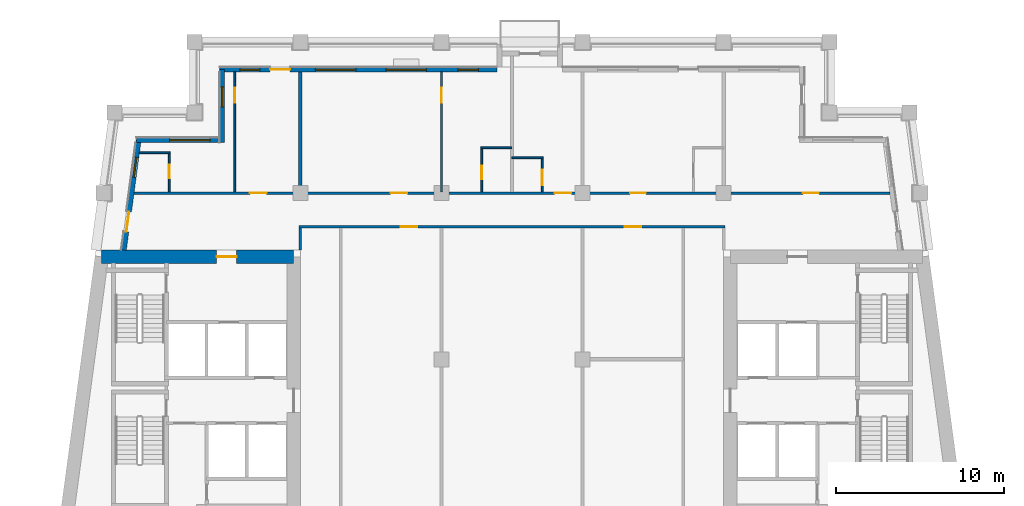
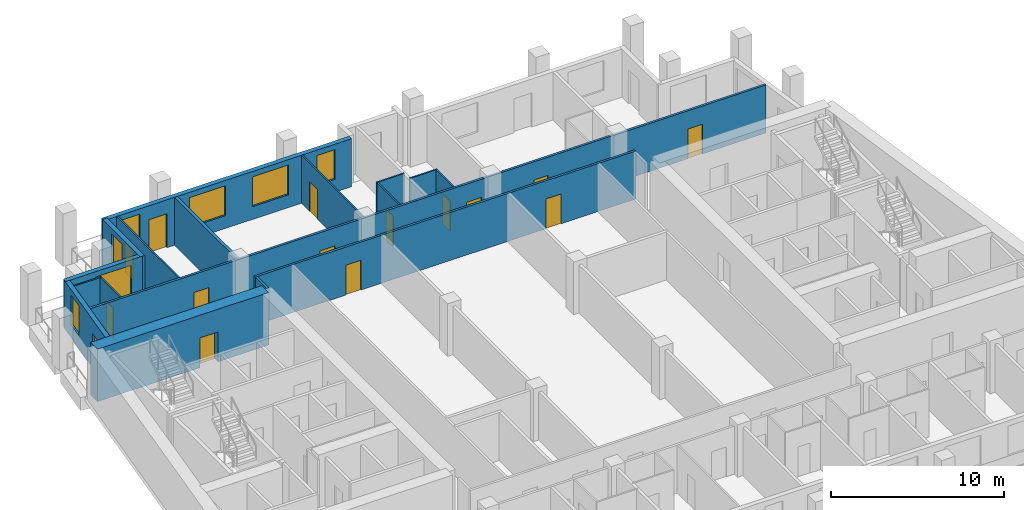
# One storey, part 6 of 12: 17 walls, 15 doors, 7 windows, 22 openings.
"""IFC4 building model written with IfcOpenShell, lengths in metres."""

from ifc_helpers import new_model, si_unit, direction, frame, frame_2d, origin, place, context, subcontext, project, spatial, rectangle, extrude, material, layer, layer_set, type_object, element, fill, save


model = new_model("IFC4")

# Units and contexts
model_context = context("Model", 3, precision=1e-05, world=origin(), true_north=direction((0.0, 1.0)))
body_context = subcontext(model_context, "Body", "Model", "MODEL_VIEW")
ifc_project = project(units=[si_unit("LENGTHUNIT", "METRE"), si_unit("AREAUNIT", "SQUARE_METRE"), si_unit("VOLUMEUNIT", "CUBIC_METRE"), si_unit("PLANEANGLEUNIT", "RADIAN"), si_unit("MASSUNIT", "GRAM", prefix="KILO")], contexts=[model_context])

# Site, building, storey
site_placement = place(None, origin())
site = spatial("IfcSite", under=ifc_project, at=site_placement, CompositionType="ELEMENT")
building_placement = place(site_placement, origin())
building = spatial("IfcBuilding", under=site, at=building_placement, Name="Candeia Pilgrim Tower and Theatre", CompositionType="ELEMENT")
storey_placement = place(building_placement, frame((0.0, 0.0, 228.10009765625)))
storey = spatial("IfcBuildingStorey", under=building, at=storey_placement, Name="L55", CompositionType="ELEMENT", Elevation=228.10009765625)

# Wall, opening, door
ifc_material_1 = material(Name="Concrete C50/60", Category="concrete")
ifc_layer_1 = layer(ifc_material_1, 0.800048828125)
ifc_layer_set_1 = layer_set([ifc_layer_1], Name="Core wall 800 C50/60")
wall_type_1 = type_object("IfcWallType", Name="Core wall 800 C50/60", PredefinedType="SHEAR", material=ifc_layer_set_1)
wall_1_placement = place(storey_placement, frame((88.98046875, 132.0, 0.0), z_axis=(0.0, 0.0, 1.0), x_axis=(1.0, 0.0, 0.0)))
wall_1 = element("IfcWall", 1, at=wall_1_placement, inside=storey, type_object=wall_type_1, Name="Core wall W1", PredefinedType="SHEAR", context=body_context, shape_type="SweptSolid", body=[
    extrude(rectangle(XDim=11.41943359375, YDim=0.800048828125, at=frame_2d((5.709716796875, 0.0))), origin(), (0.0, 0.0, 1.0), 3.699951171875),
])
opening_1_placement = place(wall_1_placement, frame((6.8330078125, 0.0, 0.0)))
opening_1 = element("IfcOpeningElement", 2, at=opening_1_placement, cuts=wall_1, Name="Opening L55-D055", PredefinedType="OPENING", context=body_context, shape_type="SweptSolid", body=[
    extrude(rectangle(XDim=1.199951171875, YDim=2.10009765625, at=frame_2d((0.60009765625, 1.050048828125))), frame((0.0, 0.41015625, 0.0), z_axis=(0.0, -1.0, 0.0), x_axis=(1.0, 0.0, 0.0)), (0.0, 0.0, 1.0), 0.820068359375),
])
ifc_material_2 = material(Name="Steel fire door set", Category="steel")
door_type_1 = type_object("IfcDoorType", Name="D-1200-FD60", OperationType="NOTDEFINED", PredefinedType="DOOR", material=ifc_material_2)
door_1_placement = place(opening_1_placement, origin())
door_1 = element("IfcDoor", 3, at=door_1_placement, inside=storey, type_object=door_type_1, Name="Door L55-D055", OperationType="SINGLE_SWING_RIGHT", OverallHeight=2.10009765625, OverallWidth=1.199951171875, PredefinedType="DOOR", context=body_context, shape_type="SweptSolid", body=[
    extrude(rectangle(XDim=1.199951171875, YDim=2.10009765625, at=frame_2d((0.60009765625, 1.050048828125))), frame((0.0, 0.02490234375, 0.0), z_axis=(0.0, -1.0, 0.0), x_axis=(1.0, 0.0, 0.0)), (0.0, 0.0, 1.0), 0.050048828125),
])
fill(opening_1, door_1)

# Wall, openings, door, windows
ifc_material_3 = material(Name="Ceramic block masonry", Category="masonry")
ifc_layer_2 = layer(ifc_material_3, 0.300048828125)
ifc_layer_set_2 = layer_set([ifc_layer_2], Name="EW1 glazing-line wall 300")
wall_type_2 = type_object("IfcWallType", Name="EW1 glazing-line wall 300", PredefinedType="SOLIDWALL", material=ifc_layer_set_2)
wall_2_placement = place(storey_placement, frame((112.5, 143.14990234375, 0.0), z_axis=(0.0, 0.0, 1.0), x_axis=(-1.0, 0.0, 0.0)))
wall_2 = element("IfcWall", 4, at=wall_2_placement, inside=storey, type_object=wall_type_2, Name="External wall L55-6.1", PredefinedType="SOLIDWALL", context=body_context, shape_type="SweptSolid", body=[
    extrude(rectangle(XDim=16.5, YDim=0.300048828125, at=frame_2d((8.25, 0.0))), origin(), (0.0, 0.0, 1.0), 3.3798828125),
])
opening_2_placement = place(wall_2_placement, frame((1.10009765625, 0.0, 0.89990234375)))
opening_2 = element("IfcOpeningElement", 5, at=opening_2_placement, cuts=wall_2, Name="Opening W-B", PredefinedType="OPENING", context=body_context, shape_type="SweptSolid", body=[
    extrude(rectangle(XDim=1.199951171875, YDim=2.10009765625, at=frame_2d((0.60009765625, 1.050048828125))), frame((0.0, 0.16015625, 0.0), z_axis=(0.0, -1.0, 0.0), x_axis=(1.0, 0.0, 0.0)), (0.0, 0.0, 1.0), 0.320068359375),
])
opening_3_placement = place(wall_2_placement, frame((4.199951171875, 0.0, 0.89990234375)))
opening_3 = element("IfcOpeningElement", 6, at=opening_3_placement, cuts=wall_2, Name="Opening W-A", PredefinedType="OPENING", context=body_context, shape_type="SweptSolid", body=[
    extrude(rectangle(XDim=2.39990234375, YDim=2.10009765625, at=frame_2d((1.199951171875, 1.050048828125))), frame((0.0, 0.16015625, 0.0), z_axis=(0.0, -1.0, 0.0), x_axis=(1.0, 0.0, 0.0)), (0.0, 0.0, 1.0), 0.320068359375),
])
opening_4_placement = place(wall_2_placement, frame((8.39990234375, 0.0, 0.89990234375)))
opening_4 = element("IfcOpeningElement", 7, at=opening_4_placement, cuts=wall_2, Name="Opening W-A", PredefinedType="OPENING", context=body_context, shape_type="SweptSolid", body=[
    extrude(rectangle(XDim=2.39990234375, YDim=2.10009765625, at=frame_2d((1.199951171875, 1.050048828125))), frame((0.0, 0.16015625, 0.0), z_axis=(0.0, -1.0, 0.0), x_axis=(1.0, 0.0, 0.0)), (0.0, 0.0, 1.0), 0.320068359375),
])
opening_5_placement = place(wall_2_placement, frame((12.300048828125, 0.0, 0.0)))
opening_5 = element("IfcOpeningElement", 8, at=opening_5_placement, cuts=wall_2, Name="Opening L55-ED530", PredefinedType="OPENING", context=body_context, shape_type="SweptSolid", body=[
    extrude(rectangle(XDim=1.199951171875, YDim=2.39990234375, at=frame_2d((0.60009765625, 1.199951171875))), frame((0.0, 0.16015625, 0.0), z_axis=(0.0, -1.0, 0.0), x_axis=(1.0, 0.0, 0.0)), (0.0, 0.0, 1.0), 0.320068359375),
])
opening_6_placement = place(wall_2_placement, frame((14.10009765625, 0.0, 0.89990234375)))
opening_6 = element("IfcOpeningElement", 9, at=opening_6_placement, cuts=wall_2, Name="Opening W-B", PredefinedType="OPENING", context=body_context, shape_type="SweptSolid", body=[
    extrude(rectangle(XDim=1.199951171875, YDim=2.10009765625, at=frame_2d((0.60009765625, 1.050048828125))), frame((0.0, 0.16015625, 0.0), z_axis=(0.0, -1.0, 0.0), x_axis=(1.0, 0.0, 0.0)), (0.0, 0.0, 1.0), 0.320068359375),
])
ifc_material_4 = material(Name="Aluminium framed glazed door", Category="aluminium")
door_type_2 = type_object("IfcDoorType", Name="Loggia door 1200x2400", OperationType="DOUBLE_DOOR_SINGLE_SWING", PredefinedType="DOOR", material=ifc_material_4)
door_2_placement = place(opening_5_placement, origin())
door_2 = element("IfcDoor", 10, at=door_2_placement, inside=storey, type_object=door_type_2, Name="Loggia door L55-ED530", OperationType="DOUBLE_DOOR_SINGLE_SWING", OverallHeight=2.39990234375, OverallWidth=1.199951171875, PredefinedType="DOOR", context=body_context, shape_type="SweptSolid", body=[
    extrude(rectangle(XDim=1.199951171875, YDim=2.39990234375, at=frame_2d((0.60009765625, 1.199951171875))), frame((0.0, 0.02490234375, 0.0), z_axis=(0.0, -1.0, 0.0), x_axis=(1.0, 0.0, 0.0)), (0.0, 0.0, 1.0), 0.050048828125),
])
fill(opening_5, door_2)
ifc_material_5 = material(Name="Aluminium framed double glazing", Category="aluminium")
window_type_1 = type_object("IfcWindowType", Name="W-A window 2400x2100", PartitioningType="DOUBLE_PANEL_VERTICAL", PredefinedType="WINDOW", material=ifc_material_5)
window_1_placement = place(opening_3_placement, origin())
window_1 = element("IfcWindow", 11, at=window_1_placement, inside=storey, type_object=window_type_1, Name="Window W-A L55", OverallHeight=2.10009765625, OverallWidth=2.39990234375, PartitioningType="SINGLE_PANEL", PredefinedType="WINDOW", context=body_context, shape_type="SweptSolid", body=[
    extrude(rectangle(XDim=2.39990234375, YDim=2.10009765625, at=frame_2d((1.199951171875, 1.050048828125))), frame((0.0, 0.030029296875, 0.0), z_axis=(0.0, -1.0, 0.0), x_axis=(1.0, 0.0, 0.0)), (0.0, 0.0, 1.0), 0.06005859375),
])
fill(opening_3, window_1)
window_2_placement = place(opening_4_placement, origin())
window_2 = element("IfcWindow", 12, at=window_2_placement, inside=storey, type_object=window_type_1, Name="Window W-A L55", OverallHeight=2.10009765625, OverallWidth=2.39990234375, PartitioningType="SINGLE_PANEL", PredefinedType="WINDOW", context=body_context, shape_type="SweptSolid", body=[
    extrude(rectangle(XDim=2.39990234375, YDim=2.10009765625, at=frame_2d((1.199951171875, 1.050048828125))), frame((0.0, 0.030029296875, 0.0), z_axis=(0.0, -1.0, 0.0), x_axis=(1.0, 0.0, 0.0)), (0.0, 0.0, 1.0), 0.06005859375),
])
fill(opening_4, window_2)
window_type_2 = type_object("IfcWindowType", Name="W-B window 1200x2100", PartitioningType="SINGLE_PANEL", PredefinedType="WINDOW", material=ifc_material_5)
window_3_placement = place(opening_2_placement, origin())
window_3 = element("IfcWindow", 13, at=window_3_placement, inside=storey, type_object=window_type_2, Name="Window W-B L55", OverallHeight=2.10009765625, OverallWidth=1.199951171875, PartitioningType="SINGLE_PANEL", PredefinedType="WINDOW", context=body_context, shape_type="SweptSolid", body=[
    extrude(rectangle(XDim=1.199951171875, YDim=2.10009765625, at=frame_2d((0.60009765625, 1.050048828125))), frame((0.0, 0.030029296875, 0.0), z_axis=(0.0, -1.0, 0.0), x_axis=(1.0, 0.0, 0.0)), (0.0, 0.0, 1.0), 0.06005859375),
])
fill(opening_2, window_3)
window_4_placement = place(opening_6_placement, origin())
window_4 = element("IfcWindow", 14, at=window_4_placement, inside=storey, type_object=window_type_2, Name="Window W-B L55", OverallHeight=2.10009765625, OverallWidth=1.199951171875, PartitioningType="SINGLE_PANEL", PredefinedType="WINDOW", context=body_context, shape_type="SweptSolid", body=[
    extrude(rectangle(XDim=1.199951171875, YDim=2.10009765625, at=frame_2d((0.60009765625, 1.050048828125))), frame((0.0, 0.030029296875, 0.0), z_axis=(0.0, -1.0, 0.0), x_axis=(1.0, 0.0, 0.0)), (0.0, 0.0, 1.0), 0.06005859375),
])
fill(opening_6, window_4)

# Wall, opening, window
wall_3_placement = place(storey_placement, frame((96.14990234375, 143.14990234375, 0.0), z_axis=(0.0, 0.0, 1.0), x_axis=(0.0, -1.0, 0.0)))
wall_3 = element("IfcWall", 15, at=wall_3_placement, inside=storey, type_object=wall_type_2, Name="External wall L55-7.0", PredefinedType="SOLIDWALL", context=body_context, shape_type="SweptSolid", body=[
    extrude(rectangle(XDim=4.349853515625, YDim=0.300048828125, at=frame_2d((2.1748046875, 0.0))), origin(), (0.0, 0.0, 1.0), 3.3798828125),
])
opening_7_placement = place(wall_3_placement, frame((1.02490234375, 0.0, 0.89990234375)))
opening_7 = element("IfcOpeningElement", 16, at=opening_7_placement, cuts=wall_3, Name="Opening W-B", PredefinedType="OPENING", context=body_context, shape_type="SweptSolid", body=[
    extrude(rectangle(XDim=1.199951171875, YDim=2.10009765625, at=frame_2d((0.60009765625, 1.050048828125))), frame((0.0, 0.16015625, 0.0), z_axis=(0.0, -1.0, 0.0), x_axis=(1.0, 0.0, 0.0)), (0.0, 0.0, 1.0), 0.320068359375),
])
window_5_placement = place(opening_7_placement, origin())
window_5 = element("IfcWindow", 17, at=window_5_placement, inside=storey, type_object=window_type_2, Name="Window W-B L55", OverallHeight=2.10009765625, OverallWidth=1.199951171875, PartitioningType="SINGLE_PANEL", PredefinedType="WINDOW", context=body_context, shape_type="SweptSolid", body=[
    extrude(rectangle(XDim=1.199951171875, YDim=2.10009765625, at=frame_2d((0.60009765625, 1.050048828125))), frame((0.0, 0.030029296875, 0.0), z_axis=(0.0, -1.0, 0.0), x_axis=(1.0, 0.0, 0.0)), (0.0, 0.0, 1.0), 0.06005859375),
])
fill(opening_7, window_5)

wall_4_placement = place(storey_placement, frame((96.14990234375, 138.949951171875, 0.0), z_axis=(0.0, 0.0, 1.0), x_axis=(-1.0, 0.0, 0.0)))
wall_4 = element("IfcWall", 18, at=wall_4_placement, inside=storey, type_object=wall_type_2, Name="External wall L55-8.0", PredefinedType="SOLIDWALL", context=body_context, shape_type="SweptSolid", body=[
    extrude(rectangle(XDim=5.103759765625, YDim=0.300048828125, at=frame_2d((2.5517578125, 0.0))), origin(), (0.0, 0.0, 1.0), 3.3798828125),
])
opening_8_placement = place(wall_4_placement, frame((0.72509765625, 0.0, 0.89990234375)))
opening_8 = element("IfcOpeningElement", 19, at=opening_8_placement, cuts=wall_4, Name="Opening W-A", PredefinedType="OPENING", context=body_context, shape_type="SweptSolid", body=[
    extrude(rectangle(XDim=2.39990234375, YDim=2.10009765625, at=frame_2d((1.199951171875, 1.050048828125))), frame((0.0, 0.16015625, 0.0), z_axis=(0.0, -1.0, 0.0), x_axis=(1.0, 0.0, 0.0)), (0.0, 0.0, 1.0), 0.320068359375),
])
window_6_placement = place(opening_8_placement, origin())
window_6 = element("IfcWindow", 20, at=window_6_placement, inside=storey, type_object=window_type_1, Name="Window W-A L55", OverallHeight=2.10009765625, OverallWidth=2.39990234375, PartitioningType="SINGLE_PANEL", PredefinedType="WINDOW", context=body_context, shape_type="SweptSolid", body=[
    extrude(rectangle(XDim=2.39990234375, YDim=2.10009765625, at=frame_2d((1.199951171875, 1.050048828125))), frame((0.0, 0.030029296875, 0.0), z_axis=(0.0, -1.0, 0.0), x_axis=(1.0, 0.0, 0.0)), (0.0, 0.0, 1.0), 0.06005859375),
])
fill(opening_8, window_6)

# Wall, openings, door, window
wall_5_placement = place(storey_placement, frame((91.177490234375, 138.949951171875, 0.0), z_axis=(0.0, 0.0, 1.0), x_axis=(-0.133426664613, -0.991058689065, 0.0)))
wall_5 = element("IfcWall", 21, at=wall_5_placement, inside=storey, type_object=wall_type_2, Name="External wall L55-9.0", PredefinedType="SOLIDWALL", context=body_context, shape_type="SweptSolid", body=[
    extrude(rectangle(XDim=6.609130859375, YDim=0.300048828125, at=frame_2d((3.3046875, 0.0))), origin(), (0.0, 0.0, 1.0), 3.3798828125),
])
opening_9_placement = place(wall_5_placement, frame((1.039306640625, 0.0, 0.89990234375)))
opening_9 = element("IfcOpeningElement", 22, at=opening_9_placement, cuts=wall_5, Name="Opening W-B", PredefinedType="OPENING", context=body_context, shape_type="SweptSolid", body=[
    extrude(rectangle(XDim=1.199951171875, YDim=2.10009765625, at=frame_2d((0.60009765625, 1.050048828125))), frame((0.0, 0.16015625, 0.0), z_axis=(0.0, -1.0, 0.0), x_axis=(1.0, 0.0, 0.0)), (0.0, 0.0, 1.0), 0.320068359375),
])
opening_10_placement = place(wall_5_placement, frame((4.293701171875, 0.0, 0.0)))
opening_10 = element("IfcOpeningElement", 23, at=opening_10_placement, cuts=wall_5, Name="Opening L55-ED532", PredefinedType="OPENING", context=body_context, shape_type="SweptSolid", body=[
    extrude(rectangle(XDim=1.199951171875, YDim=2.39990234375, at=frame_2d((0.60009765625, 1.199951171875))), frame((0.0, 0.16015625, 0.0), z_axis=(0.0, -1.0, 0.0), x_axis=(1.0, 0.0, 0.0)), (0.0, 0.0, 1.0), 0.320068359375),
])
door_3_placement = place(opening_10_placement, origin())
door_3 = element("IfcDoor", 24, at=door_3_placement, inside=storey, type_object=door_type_2, Name="Loggia door L55-ED532", OperationType="DOUBLE_DOOR_SINGLE_SWING", OverallHeight=2.39990234375, OverallWidth=1.199951171875, PredefinedType="DOOR", context=body_context, shape_type="SweptSolid", body=[
    extrude(rectangle(XDim=1.199951171875, YDim=2.39990234375, at=frame_2d((0.60009765625, 1.199951171875))), frame((0.0, 0.02490234375, 0.0), z_axis=(0.0, -1.0, 0.0), x_axis=(1.0, 0.0, 0.0)), (0.0, 0.0, 1.0), 0.050048828125),
])
fill(opening_10, door_3)
window_7_placement = place(opening_9_placement, origin())
window_7 = element("IfcWindow", 25, at=window_7_placement, inside=storey, type_object=window_type_2, Name="Window W-B L55", OverallHeight=2.10009765625, OverallWidth=1.199951171875, PartitioningType="SINGLE_PANEL", PredefinedType="WINDOW", context=body_context, shape_type="SweptSolid", body=[
    extrude(rectangle(XDim=1.199951171875, YDim=2.10009765625, at=frame_2d((0.60009765625, 1.050048828125))), frame((0.0, 0.030029296875, 0.0), z_axis=(0.0, -1.0, 0.0), x_axis=(1.0, 0.0, 0.0)), (0.0, 0.0, 1.0), 0.06005859375),
])
fill(opening_9, window_7)

# Walls
ifc_material_6 = material(Name="Gypsum board partition on steel studs", Category="steel")
ifc_layer_3 = layer(ifc_material_6, 0.10009765625)
ifc_layer_set_3 = layer_set([ifc_layer_3], Name="PW-100 room partition")
wall_type_3 = type_object("IfcWallType", Name="PW-100 room partition", PredefinedType="PARTITIONING", material=ifc_layer_set_3)
wall_6_placement = place(storey_placement, frame((113.39990234375, 137.89990234375, 0.0), z_axis=(0.0, 0.0, 1.0), x_axis=(1.0, 0.0, 0.0)))
element("IfcWall", 26, at=wall_6_placement, inside=storey, type_object=wall_type_3, Name="Room partition L55-045", PredefinedType="PARTITIONING", context=body_context, shape_type="SweptSolid", body=[
    extrude(rectangle(XDim=1.85009765625, YDim=0.10009765625, at=frame_2d((0.925048828125, 0.0))), origin(), (0.0, 0.0, 1.0), 3.3798828125),
])
wall_7_placement = place(storey_placement, frame((91.2177734375, 138.199951171875, 0.0), z_axis=(0.0, 0.0, 1.0), x_axis=(1.0, 0.0, 0.0)))
element("IfcWall", 27, at=wall_7_placement, inside=storey, type_object=wall_type_3, Name="Room partition L55-046", PredefinedType="PARTITIONING", context=body_context, shape_type="SweptSolid", body=[
    extrude(rectangle(XDim=1.832275390625, YDim=0.10009765625, at=frame_2d((0.916015625, 0.0))), origin(), (0.0, 0.0, 1.0), 3.3798828125),
])
wall_8_placement = place(storey_placement, frame((111.550048828125, 138.5, 0.0), z_axis=(0.0, 0.0, 1.0), x_axis=(1.0, 0.0, 0.0)))
element("IfcWall", 28, at=wall_8_placement, inside=storey, type_object=wall_type_3, Name="Room partition L55-047", PredefinedType="PARTITIONING", context=body_context, shape_type="SweptSolid", body=[
    extrude(rectangle(XDim=1.849853515625, YDim=0.10009765625, at=frame_2d((0.9248046875, 0.0))), origin(), (0.0, 0.0, 1.0), 3.3798828125),
])

# Wall, opening, door
wall_9_placement = place(storey_placement, frame((93.0, 135.875, 0.0), z_axis=(0.0, 0.0, 1.0), x_axis=(0.0, 1.0, 0.0)))
wall_9 = element("IfcWall", 29, at=wall_9_placement, inside=storey, type_object=wall_type_3, Name="Room partition L55-061", PredefinedType="PARTITIONING", context=body_context, shape_type="SweptSolid", body=[
    extrude(rectangle(XDim=2.27490234375, YDim=0.10009765625, at=frame_2d((1.137451171875, 0.0))), origin(), (0.0, 0.0, 1.0), 3.3798828125),
])
opening_11_placement = place(wall_9_placement, frame((0.81494140625, 0.0, 0.0)))
opening_11 = element("IfcOpeningElement", 30, at=opening_11_placement, cuts=wall_9, Name="Opening L55-D039", PredefinedType="OPENING", context=body_context, shape_type="SweptSolid", body=[
    extrude(rectangle(XDim=0.800048828125, YDim=2.10009765625, at=frame_2d((0.39990234375, 1.050048828125))), frame((0.0, 0.06005859375, 0.0), z_axis=(0.0, -1.0, 0.0), x_axis=(1.0, 0.0, 0.0)), (0.0, 0.0, 1.0), 0.1201171875),
])
ifc_material_7 = material(Name="Timber door leaf", Category="wood")
door_type_3 = type_object("IfcDoorType", Name="D-800", OperationType="NOTDEFINED", PredefinedType="DOOR", material=ifc_material_7)
door_4_placement = place(opening_11_placement, origin())
door_4 = element("IfcDoor", 31, at=door_4_placement, inside=storey, type_object=door_type_3, Name="Door L55-D039", OperationType="SINGLE_SWING_RIGHT", OverallHeight=2.10009765625, OverallWidth=0.800048828125, PredefinedType="DOOR", context=body_context, shape_type="SweptSolid", body=[
    extrude(rectangle(XDim=0.800048828125, YDim=2.10009765625, at=frame_2d((0.39990234375, 1.050048828125))), frame((0.0, 0.02490234375, 0.0), z_axis=(0.0, -1.0, 0.0), x_axis=(1.0, 0.0, 0.0)), (0.0, 0.0, 1.0), 0.050048828125),
])
fill(opening_11, door_4)

wall_10_placement = place(storey_placement, frame((96.89990234375, 135.875, 0.0), z_axis=(0.0, 0.0, 1.0), x_axis=(0.0, 1.0, 0.0)))
wall_10 = element("IfcWall", 32, at=wall_10_placement, inside=storey, type_object=wall_type_3, Name="Room partition L55-066", PredefinedType="PARTITIONING", context=body_context, shape_type="SweptSolid", body=[
    extrude(rectangle(XDim=7.135009765625, YDim=0.10009765625, at=frame_2d((3.5673828125, 0.0))), origin(), (0.0, 0.0, 1.0), 3.3798828125),
])
opening_12_placement = place(wall_10_placement, frame((5.2900390625, 0.0, 0.0)))
opening_12 = element("IfcOpeningElement", 33, at=opening_12_placement, cuts=wall_10, Name="Opening L55-D038", PredefinedType="OPENING", context=body_context, shape_type="SweptSolid", body=[
    extrude(rectangle(XDim=0.89990234375, YDim=2.10009765625, at=frame_2d((0.449951171875, 1.050048828125))), frame((0.0, 0.06005859375, 0.0), z_axis=(0.0, -1.0, 0.0), x_axis=(1.0, 0.0, 0.0)), (0.0, 0.0, 1.0), 0.1201171875),
])
door_type_4 = type_object("IfcDoorType", Name="D-900", OperationType="NOTDEFINED", PredefinedType="DOOR", material=ifc_material_7)
door_5_placement = place(opening_12_placement, origin())
door_5 = element("IfcDoor", 34, at=door_5_placement, inside=storey, type_object=door_type_4, Name="Door L55-D038", OperationType="SINGLE_SWING_LEFT", OverallHeight=2.10009765625, OverallWidth=0.89990234375, PredefinedType="DOOR", context=body_context, shape_type="SweptSolid", body=[
    extrude(rectangle(XDim=0.89990234375, YDim=2.10009765625, at=frame_2d((0.449951171875, 1.050048828125))), frame((0.0, 0.02490234375, 0.0), z_axis=(0.0, -1.0, 0.0), x_axis=(1.0, 0.0, 0.0)), (0.0, 0.0, 1.0), 0.050048828125),
])
fill(opening_12, door_5)

wall_11_placement = place(storey_placement, frame((109.199951171875, 135.875, 0.0), z_axis=(0.0, 0.0, 1.0), x_axis=(0.0, 1.0, 0.0)))
wall_11 = element("IfcWall", 35, at=wall_11_placement, inside=storey, type_object=wall_type_3, Name="Room partition L55-079", PredefinedType="PARTITIONING", context=body_context, shape_type="SweptSolid", body=[
    extrude(rectangle(XDim=7.135009765625, YDim=0.10009765625, at=frame_2d((3.5673828125, 0.0))), origin(), (0.0, 0.0, 1.0), 3.3798828125),
])
opening_13_placement = place(wall_11_placement, frame((5.2900390625, 0.0, 0.0)))
opening_13 = element("IfcOpeningElement", 36, at=opening_13_placement, cuts=wall_11, Name="Opening L55-D041", PredefinedType="OPENING", context=body_context, shape_type="SweptSolid", body=[
    extrude(rectangle(XDim=0.89990234375, YDim=2.10009765625, at=frame_2d((0.449951171875, 1.050048828125))), frame((0.0, 0.06005859375, 0.0), z_axis=(0.0, -1.0, 0.0), x_axis=(1.0, 0.0, 0.0)), (0.0, 0.0, 1.0), 0.1201171875),
])
door_6_placement = place(opening_13_placement, origin())
door_6 = element("IfcDoor", 37, at=door_6_placement, inside=storey, type_object=door_type_4, Name="Door L55-D041", OperationType="SINGLE_SWING_RIGHT", OverallHeight=2.10009765625, OverallWidth=0.89990234375, PredefinedType="DOOR", context=body_context, shape_type="SweptSolid", body=[
    extrude(rectangle(XDim=0.89990234375, YDim=2.10009765625, at=frame_2d((0.449951171875, 1.050048828125))), frame((0.0, 0.02490234375, 0.0), z_axis=(0.0, -1.0, 0.0), x_axis=(1.0, 0.0, 0.0)), (0.0, 0.0, 1.0), 0.050048828125),
])
fill(opening_13, door_6)

wall_12_placement = place(storey_placement, frame((111.60009765625, 135.875, 0.0), z_axis=(0.0, 0.0, 1.0), x_axis=(0.0, 1.0, 0.0)))
wall_12 = element("IfcWall", 38, at=wall_12_placement, inside=storey, type_object=wall_type_3, Name="Room partition L55-082", PredefinedType="PARTITIONING", context=body_context, shape_type="SweptSolid", body=[
    extrude(rectangle(XDim=2.574951171875, YDim=0.10009765625, at=frame_2d((1.28759765625, 0.0))), origin(), (0.0, 0.0, 1.0), 3.3798828125),
])
opening_14_placement = place(wall_12_placement, frame((0.7548828125, 0.0, 0.0)))
opening_14 = element("IfcOpeningElement", 39, at=opening_14_placement, cuts=wall_12, Name="Opening L55-D042", PredefinedType="OPENING", context=body_context, shape_type="SweptSolid", body=[
    extrude(rectangle(XDim=0.800048828125, YDim=2.10009765625, at=frame_2d((0.39990234375, 1.050048828125))), frame((0.0, 0.06005859375, 0.0), z_axis=(0.0, -1.0, 0.0), x_axis=(1.0, 0.0, 0.0)), (0.0, 0.0, 1.0), 0.1201171875),
])
door_7_placement = place(opening_14_placement, origin())
door_7 = element("IfcDoor", 40, at=door_7_placement, inside=storey, type_object=door_type_3, Name="Door L55-D042", OperationType="SINGLE_SWING_LEFT", OverallHeight=2.10009765625, OverallWidth=0.800048828125, PredefinedType="DOOR", context=body_context, shape_type="SweptSolid", body=[
    extrude(rectangle(XDim=0.800048828125, YDim=2.10009765625, at=frame_2d((0.39990234375, 1.050048828125))), frame((0.0, 0.02490234375, 0.0), z_axis=(0.0, -1.0, 0.0), x_axis=(1.0, 0.0, 0.0)), (0.0, 0.0, 1.0), 0.050048828125),
])
fill(opening_14, door_7)

wall_13_placement = place(storey_placement, frame((115.199951171875, 135.875, 0.0), z_axis=(0.0, 0.0, 1.0), x_axis=(0.0, 1.0, 0.0)))
wall_13 = element("IfcWall", 41, at=wall_13_placement, inside=storey, type_object=wall_type_3, Name="Room partition L55-086", PredefinedType="PARTITIONING", context=body_context, shape_type="SweptSolid", body=[
    extrude(rectangle(XDim=1.97509765625, YDim=0.10009765625, at=frame_2d((0.987548828125, 0.0))), origin(), (0.0, 0.0, 1.0), 3.3798828125),
])
opening_15_placement = place(wall_13_placement, frame((0.39990234375, 0.0, 0.0)))
opening_15 = element("IfcOpeningElement", 42, at=opening_15_placement, cuts=wall_13, Name="Opening L55-D044", PredefinedType="OPENING", context=body_context, shape_type="SweptSolid", body=[
    extrude(rectangle(XDim=0.89990234375, YDim=2.10009765625, at=frame_2d((0.449951171875, 1.050048828125))), frame((0.0, 0.06005859375, 0.0), z_axis=(0.0, -1.0, 0.0), x_axis=(1.0, 0.0, 0.0)), (0.0, 0.0, 1.0), 0.1201171875),
])
door_8_placement = place(opening_15_placement, origin())
door_8 = element("IfcDoor", 43, at=door_8_placement, inside=storey, type_object=door_type_4, Name="Door L55-D044", OperationType="SINGLE_SWING_LEFT", OverallHeight=2.10009765625, OverallWidth=0.89990234375, PredefinedType="DOOR", context=body_context, shape_type="SweptSolid", body=[
    extrude(rectangle(XDim=0.89990234375, YDim=2.10009765625, at=frame_2d((0.449951171875, 1.050048828125))), frame((0.0, 0.02490234375, 0.0), z_axis=(0.0, -1.0, 0.0), x_axis=(1.0, 0.0, 0.0)), (0.0, 0.0, 1.0), 0.050048828125),
])
fill(opening_15, door_8)

# Wall, openings, doors
ifc_layer_4 = layer(ifc_material_6, 0.14990234375)
ifc_layer_set_4 = layer_set([ifc_layer_4], Name="PW-150 unit wall")
wall_type_4 = type_object("IfcWallType", Name="PW-150 unit wall", PredefinedType="PARTITIONING", material=ifc_layer_set_4)
wall_14_placement = place(storey_placement, frame((100.72509765625, 133.800048828125, 0.0), z_axis=(0.0, 0.0, 1.0), x_axis=(1.0, 0.0, 0.0)))
wall_14 = element("IfcWall", 44, at=wall_14_placement, inside=storey, type_object=wall_type_4, Name="Unit wall L55-043", PredefinedType="PARTITIONING", context=body_context, shape_type="SweptSolid", body=[
    extrude(rectangle(XDim=25.349853515625, YDim=0.14990234375, at=frame_2d((12.6748046875, 0.0))), origin(), (0.0, 0.0, 1.0), 3.3798828125),
])
opening_16_placement = place(wall_14_placement, frame((6.050048828125, 0.0, 0.0)))
opening_16 = element("IfcOpeningElement", 45, at=opening_16_placement, cuts=wall_14, Name="Opening L55-D050", PredefinedType="OPENING", context=body_context, shape_type="SweptSolid", body=[
    extrude(rectangle(XDim=1.0, YDim=2.10009765625, at=frame_2d((0.5, 1.050048828125))), frame((0.0, 0.0849609375, 0.0), z_axis=(0.0, -1.0, 0.0), x_axis=(1.0, 0.0, 0.0)), (0.0, 0.0, 1.0), 0.169921875),
])
opening_17_placement = place(wall_14_placement, frame((19.375, 0.0, 0.0)))
opening_17 = element("IfcOpeningElement", 46, at=opening_17_placement, cuts=wall_14, Name="Opening L55-D053", PredefinedType="OPENING", context=body_context, shape_type="SweptSolid", body=[
    extrude(rectangle(XDim=1.0, YDim=2.10009765625, at=frame_2d((0.5, 1.050048828125))), frame((0.0, 0.0849609375, 0.0), z_axis=(0.0, -1.0, 0.0), x_axis=(1.0, 0.0, 0.0)), (0.0, 0.0, 1.0), 0.169921875),
])
door_type_5 = type_object("IfcDoorType", Name="D-1000-FD30S", OperationType="NOTDEFINED", PredefinedType="DOOR", material=ifc_material_2)
door_9_placement = place(opening_16_placement, origin())
door_9 = element("IfcDoor", 47, at=door_9_placement, inside=storey, type_object=door_type_5, Name="Door L55-D050", OperationType="SINGLE_SWING_LEFT", OverallHeight=2.10009765625, OverallWidth=1.0, PredefinedType="DOOR", context=body_context, shape_type="SweptSolid", body=[
    extrude(rectangle(XDim=1.0, YDim=2.10009765625, at=frame_2d((0.5, 1.050048828125))), frame((0.0, 0.02490234375, 0.0), z_axis=(0.0, -1.0, 0.0), x_axis=(1.0, 0.0, 0.0)), (0.0, 0.0, 1.0), 0.050048828125),
])
fill(opening_16, door_9)
door_10_placement = place(opening_17_placement, origin())
door_10 = element("IfcDoor", 48, at=door_10_placement, inside=storey, type_object=door_type_5, Name="Door L55-D053", OperationType="SINGLE_SWING_RIGHT", OverallHeight=2.10009765625, OverallWidth=1.0, PredefinedType="DOOR", context=body_context, shape_type="SweptSolid", body=[
    extrude(rectangle(XDim=1.0, YDim=2.10009765625, at=frame_2d((0.5, 1.050048828125))), frame((0.0, 0.02490234375, 0.0), z_axis=(0.0, -1.0, 0.0), x_axis=(1.0, 0.0, 0.0)), (0.0, 0.0, 1.0), 0.050048828125),
])
fill(opening_17, door_10)

wall_15_placement = place(storey_placement, frame((90.89453125, 135.800048828125, 0.0), z_axis=(0.0, 0.0, 1.0), x_axis=(1.0, 0.0, 0.0)))
wall_15 = element("IfcWall", 49, at=wall_15_placement, inside=storey, type_object=wall_type_4, Name="Unit wall L55-044", PredefinedType="PARTITIONING", context=body_context, shape_type="SweptSolid", body=[
    extrude(rectangle(XDim=45.010986328125, YDim=0.14990234375, at=frame_2d((22.50537109375, 0.0))), origin(), (0.0, 0.0, 1.0), 3.3798828125),
])
opening_18_placement = place(wall_15_placement, frame((6.905517578125, 0.0, 0.0)))
opening_18 = element("IfcOpeningElement", 50, at=opening_18_placement, cuts=wall_15, Name="Opening L55-D037", PredefinedType="OPENING", context=body_context, shape_type="SweptSolid", body=[
    extrude(rectangle(XDim=1.0, YDim=2.10009765625, at=frame_2d((0.5, 1.050048828125))), frame((0.0, 0.0849609375, 0.0), z_axis=(0.0, -1.0, 0.0), x_axis=(1.0, 0.0, 0.0)), (0.0, 0.0, 1.0), 0.169921875),
])
opening_19_placement = place(wall_15_placement, frame((15.280517578125, 0.0, 0.0)))
opening_19 = element("IfcOpeningElement", 51, at=opening_19_placement, cuts=wall_15, Name="Opening L55-D040", PredefinedType="OPENING", context=body_context, shape_type="SweptSolid", body=[
    extrude(rectangle(XDim=1.0, YDim=2.10009765625, at=frame_2d((0.5, 1.050048828125))), frame((0.0, 0.0849609375, 0.0), z_axis=(0.0, -1.0, 0.0), x_axis=(1.0, 0.0, 0.0)), (0.0, 0.0, 1.0), 0.169921875),
])
opening_20_placement = place(wall_15_placement, frame((25.04541015625, 0.0, 0.0)))
opening_20 = element("IfcOpeningElement", 52, at=opening_20_placement, cuts=wall_15, Name="Opening L55-D043", PredefinedType="OPENING", context=body_context, shape_type="SweptSolid", body=[
    extrude(rectangle(XDim=1.0, YDim=2.10009765625, at=frame_2d((0.5, 1.050048828125))), frame((0.0, 0.0849609375, 0.0), z_axis=(0.0, -1.0, 0.0), x_axis=(1.0, 0.0, 0.0)), (0.0, 0.0, 1.0), 0.169921875),
])
opening_21_placement = place(wall_15_placement, frame((29.530517578125, 0.0, 0.0)))
opening_21 = element("IfcOpeningElement", 53, at=opening_21_placement, cuts=wall_15, Name="Opening L55-D045", PredefinedType="OPENING", context=body_context, shape_type="SweptSolid", body=[
    extrude(rectangle(XDim=0.949951171875, YDim=2.10009765625, at=frame_2d((0.47509765625, 1.050048828125))), frame((0.0, 0.0849609375, 0.0), z_axis=(0.0, -1.0, 0.0), x_axis=(1.0, 0.0, 0.0)), (0.0, 0.0, 1.0), 0.169921875),
])
opening_22_placement = place(wall_15_placement, frame((39.814453125, 0.0, 0.0)))
opening_22 = element("IfcOpeningElement", 54, at=opening_22_placement, cuts=wall_15, Name="Opening L55-D047", PredefinedType="OPENING", context=body_context, shape_type="SweptSolid", body=[
    extrude(rectangle(XDim=0.949951171875, YDim=2.10009765625, at=frame_2d((0.47509765625, 1.050048828125))), frame((0.0, 0.0849609375, 0.0), z_axis=(0.0, -1.0, 0.0), x_axis=(1.0, 0.0, 0.0)), (0.0, 0.0, 1.0), 0.169921875),
])
door_11_placement = place(opening_18_placement, origin())
door_11 = element("IfcDoor", 55, at=door_11_placement, inside=storey, type_object=door_type_5, Name="Door L55-D037", OperationType="SINGLE_SWING_RIGHT", OverallHeight=2.10009765625, OverallWidth=1.0, PredefinedType="DOOR", context=body_context, shape_type="SweptSolid", body=[
    extrude(rectangle(XDim=1.0, YDim=2.10009765625, at=frame_2d((0.5, 1.050048828125))), frame((0.0, 0.02490234375, 0.0), z_axis=(0.0, -1.0, 0.0), x_axis=(1.0, 0.0, 0.0)), (0.0, 0.0, 1.0), 0.050048828125),
])
fill(opening_18, door_11)
door_12_placement = place(opening_19_placement, origin())
door_12 = element("IfcDoor", 56, at=door_12_placement, inside=storey, type_object=door_type_5, Name="Door L55-D040", OperationType="SINGLE_SWING_LEFT", OverallHeight=2.10009765625, OverallWidth=1.0, PredefinedType="DOOR", context=body_context, shape_type="SweptSolid", body=[
    extrude(rectangle(XDim=1.0, YDim=2.10009765625, at=frame_2d((0.5, 1.050048828125))), frame((0.0, 0.02490234375, 0.0), z_axis=(0.0, -1.0, 0.0), x_axis=(1.0, 0.0, 0.0)), (0.0, 0.0, 1.0), 0.050048828125),
])
fill(opening_19, door_12)
door_13_placement = place(opening_20_placement, origin())
door_13 = element("IfcDoor", 57, at=door_13_placement, inside=storey, type_object=door_type_5, Name="Door L55-D043", OperationType="SINGLE_SWING_RIGHT", OverallHeight=2.10009765625, OverallWidth=1.0, PredefinedType="DOOR", context=body_context, shape_type="SweptSolid", body=[
    extrude(rectangle(XDim=1.0, YDim=2.10009765625, at=frame_2d((0.5, 1.050048828125))), frame((0.0, 0.02490234375, 0.0), z_axis=(0.0, -1.0, 0.0), x_axis=(1.0, 0.0, 0.0)), (0.0, 0.0, 1.0), 0.050048828125),
])
fill(opening_20, door_13)
door_type_6 = type_object("IfcDoorType", Name="D-950-FD30S", OperationType="NOTDEFINED", PredefinedType="DOOR", material=ifc_material_2)
door_14_placement = place(opening_21_placement, origin())
door_14 = element("IfcDoor", 58, at=door_14_placement, inside=storey, type_object=door_type_6, Name="Door L55-D045", OperationType="SINGLE_SWING_RIGHT", OverallHeight=2.10009765625, OverallWidth=0.949951171875, PredefinedType="DOOR", context=body_context, shape_type="SweptSolid", body=[
    extrude(rectangle(XDim=0.949951171875, YDim=2.10009765625, at=frame_2d((0.47509765625, 1.050048828125))), frame((0.0, 0.02490234375, 0.0), z_axis=(0.0, -1.0, 0.0), x_axis=(1.0, 0.0, 0.0)), (0.0, 0.0, 1.0), 0.050048828125),
])
fill(opening_21, door_14)
door_15_placement = place(opening_22_placement, origin())
door_15 = element("IfcDoor", 59, at=door_15_placement, inside=storey, type_object=door_type_6, Name="Door L55-D047", OperationType="SINGLE_SWING_RIGHT", OverallHeight=2.10009765625, OverallWidth=0.949951171875, PredefinedType="DOOR", context=body_context, shape_type="SweptSolid", body=[
    extrude(rectangle(XDim=0.949951171875, YDim=2.10009765625, at=frame_2d((0.47509765625, 1.050048828125))), frame((0.0, 0.02490234375, 0.0), z_axis=(0.0, -1.0, 0.0), x_axis=(1.0, 0.0, 0.0)), (0.0, 0.0, 1.0), 0.050048828125),
])
fill(opening_22, door_15)

# Walls
wall_16_placement = place(storey_placement, frame((100.800048828125, 132.39990234375, 0.0), z_axis=(0.0, 0.0, 1.0), x_axis=(0.0, 1.0, 0.0)))
element("IfcWall", 60, at=wall_16_placement, inside=storey, type_object=wall_type_4, Name="Unit wall L55-074", PredefinedType="PARTITIONING", context=body_context, shape_type="SweptSolid", body=[
    extrude(rectangle(XDim=1.3251953125, YDim=0.14990234375, at=frame_2d((0.66259765625, 0.0))), origin(), (0.0, 0.0, 1.0), 3.3798828125),
])
ifc_layer_5 = layer(ifc_material_6, 0.199951171875)
ifc_layer_set_5 = layer_set([ifc_layer_5], Name="PW-200 party wall")
wall_type_5 = type_object("IfcWallType", Name="PW-200 party wall", PredefinedType="PARTITIONING", material=ifc_layer_set_5)
wall_17_placement = place(storey_placement, frame((100.800048828125, 135.875, 0.0), z_axis=(0.0, 0.0, 1.0), x_axis=(0.0, 1.0, 0.0)))
element("IfcWall", 61, at=wall_17_placement, inside=storey, type_object=wall_type_5, Name="Party wall L55-072", PredefinedType="PARTITIONING", context=body_context, shape_type="SweptSolid", body=[
    extrude(rectangle(XDim=7.135009765625, YDim=0.199951171875, at=frame_2d((3.5673828125, 0.0))), origin(), (0.0, 0.0, 1.0), 3.3798828125),
])

save(model, "model.ifc")
